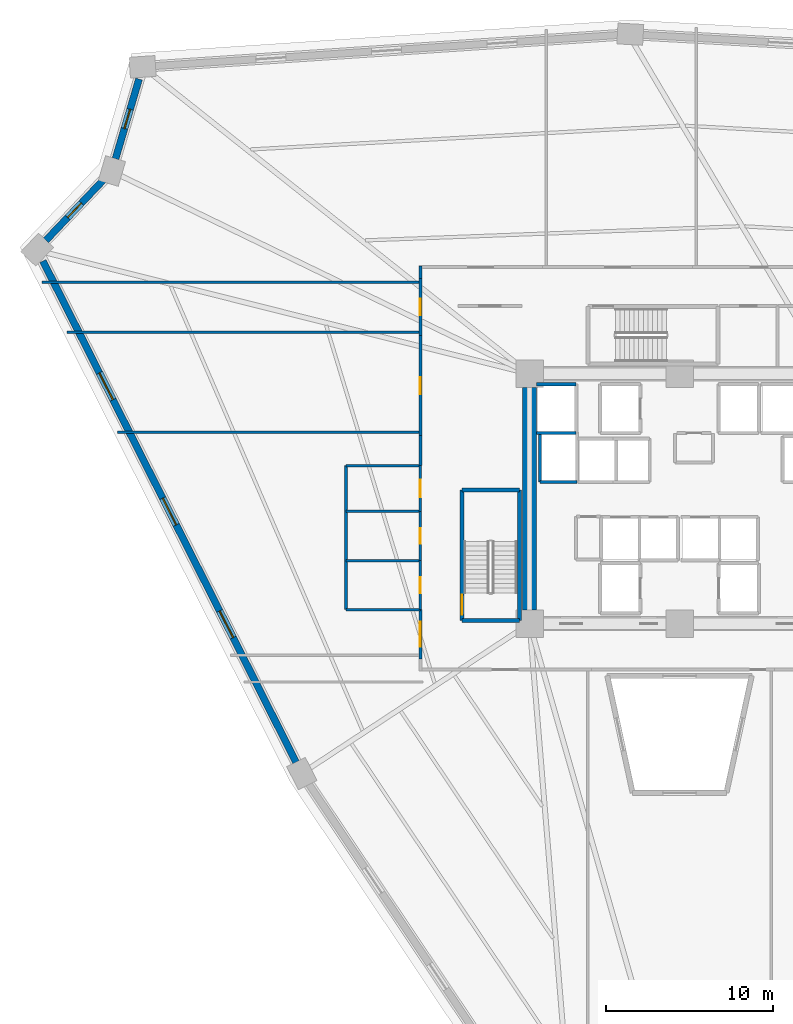
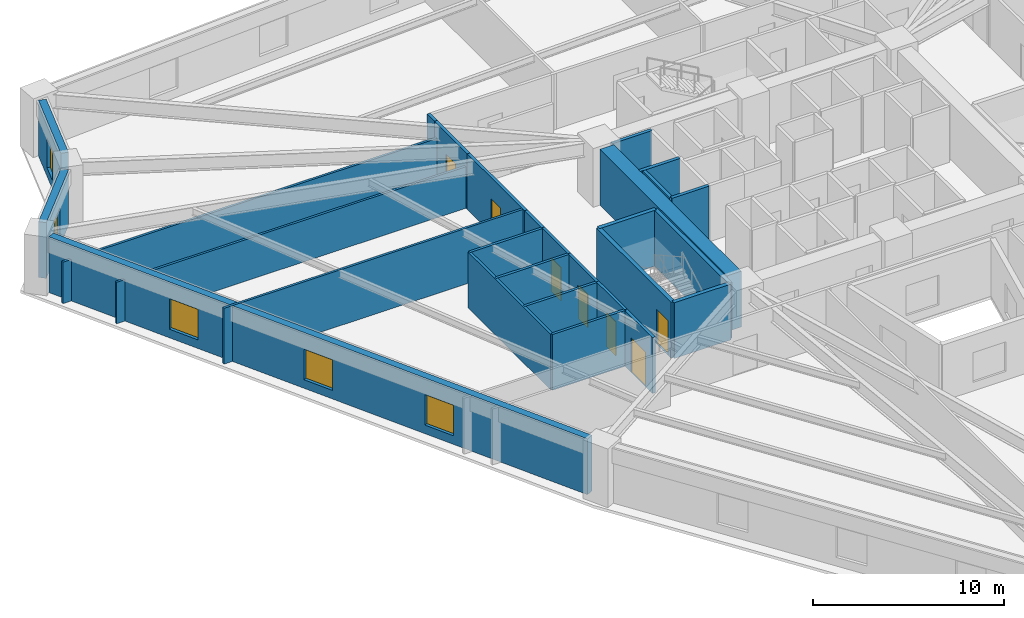
# One storey, part 4 of 9: 28 walls, 7 doors, 5 windows, 12 openings.
"""IFC4 building model written with IfcOpenShell, lengths in metres."""

import ifcopenshell
import ifcopenshell.guid

model = None  # the IFC model being written
_history = None  # IfcOwnerHistory: only IFC2X3 demands one
_inside = {}  # id of a spatial element -> (the spatial element, [elements in it])
_under = {}  # id of a project, library or spatial element -> (it, [spatial elements below it])
_declared = {}  # id of a project -> (the project, [libraries it declares])
_typed = {}  # id of a type object -> (the type object, [elements of that type])
_made_of = {}  # id of a material, layer set ... -> (it, [elements and type objects made of it])


def new_model(schema):
    """Start an empty IFC model of exactly this schema.

    Asked for "IFC4X3", IfcOpenShell would pick the latest addendum, in which some entities
    have other attributes; the version numbers below select the first issue.
    IFC2X3 requires an IfcOwnerHistory on every rooted entity: one is made here for all.
    """
    global model, _history
    if schema == "IFC4X3":
        model = ifcopenshell.file(schema_version=(4, 3, 0, 0))
    else:
        model = ifcopenshell.file(schema=schema)
    _inside.clear()
    _under.clear()
    _declared.clear()
    _typed.clear()
    _made_of.clear()
    _history = None
    if model.schema == "IFC2X3":
        org = make("IfcOrganization", Name="unknown")
        user = make(
            "IfcPersonAndOrganization",
            ThePerson=make("IfcPerson", FamilyName="unknown"),
            TheOrganization=org,
        )
        app = make(
            "IfcApplication",
            ApplicationDeveloper=org,
            Version="unknown",
            ApplicationFullName="unknown",
            ApplicationIdentifier="unknown",
        )
        _history = make(
            "IfcOwnerHistory",
            OwningUser=user,
            OwningApplication=app,
            ChangeAction="ADDED",
            CreationDate=0,
        )
    return model


def make(cls, **values):
    """One entity of the class cls with the attributes given. An attribute that is None is left unset."""
    return model.create_entity(
        cls, **{name: value for name, value in values.items() if value is not None}
    )


def rooted(cls, **values):
    """An entity with a GlobalId (a new one), such as an element, a storey or a relation."""
    return make(cls, GlobalId=ifcopenshell.guid.new(), OwnerHistory=_history, **values)


def si_unit(unit_type, name, prefix=None):
    """IfcSIUnit, for example si_unit("LENGTHUNIT", "METRE", prefix="MILLI")."""
    return make("IfcSIUnit", UnitType=unit_type, Prefix=prefix, Name=name)


def assignment(units):
    """IfcUnitAssignment: the units of a project."""
    return None if units is None else make("IfcUnitAssignment", Units=units)


def point(xyz):
    """IfcCartesianPoint."""
    return None if xyz is None else make("IfcCartesianPoint", Coordinates=xyz)


def direction(xyz):
    """IfcDirection."""
    return None if xyz is None else make("IfcDirection", DirectionRatios=xyz)


def frame(location, z_axis=None, x_axis=None):
    """IfcAxis2Placement3D, a coordinate frame: its origin and axes. An axis left out is left unset."""
    return make(
        "IfcAxis2Placement3D",
        Location=point(location),
        Axis=direction(z_axis),
        RefDirection=direction(x_axis),
    )


def frame_2d(location, x_axis=None):
    """IfcAxis2Placement2D, a coordinate frame in the plane: its origin and x axis."""
    return make(
        "IfcAxis2Placement2D", Location=point(location), RefDirection=direction(x_axis)
    )


def origin():
    """The frame at (0, 0, 0) with its axes left unset."""
    return frame((0.0, 0.0, 0.0))


def place(relative_to, where):
    """IfcLocalPlacement: puts the frame where relative to a parent placement (None: the world)."""
    return make(
        "IfcLocalPlacement", PlacementRelTo=relative_to, RelativePlacement=where
    )


def context(
    kind, dimensions, precision=None, world=None, true_north=None, identifier=None
):
    """IfcGeometricRepresentationContext, for example the 3D "Model" context."""
    return make(
        "IfcGeometricRepresentationContext",
        ContextIdentifier=identifier,
        ContextType=kind,
        CoordinateSpaceDimension=dimensions,
        Precision=precision,
        WorldCoordinateSystem=world,
        TrueNorth=true_north,
    )


def subcontext(parent, identifier, kind, view, scale=None):
    """IfcGeometricRepresentationSubContext, for example "Body" below "Model"."""
    return make(
        "IfcGeometricRepresentationSubContext",
        ContextIdentifier=identifier,
        ContextType=kind,
        ParentContext=parent,
        TargetScale=scale,
        TargetView=view,
    )


def project(units=None, contexts=None):
    """IfcProject with its units and contexts."""
    return rooted(
        "IfcProject",
        Name="project",
        RepresentationContexts=contexts,
        UnitsInContext=assignment(units),
    )


def spatial(cls, under=None, at=None, **own):
    """A site, building, storey or space (cls), placed at a placement, below another one or the project."""
    s = rooted(cls, ObjectPlacement=at, **own)
    if under is not None:
        _under.setdefault(under.id(), (under, []))[1].append(s)
    return s


def profile(cls, at=None, kind="AREA", **sizes):
    """A parametric profile (cls). Its sizes go by their IFC names, for example OverallWidth=200.0."""
    return make(cls, ProfileType=kind, Position=at, **sizes)


def rectangle(**sizes):
    """IfcRectangleProfileDef."""
    return profile("IfcRectangleProfileDef", **sizes)


def extrude(swept, where, along, depth):
    """IfcExtrudedAreaSolid: the profile swept, set in the frame where, extruded along a direction by depth."""
    return make(
        "IfcExtrudedAreaSolid",
        SweptArea=swept,
        Position=where,
        ExtrudedDirection=direction(along),
        Depth=depth,
    )


def shape(context_of_items, identifier, shape_type, items):
    """IfcShapeRepresentation: the items that make up one representation, for example the "Body"."""
    return make(
        "IfcShapeRepresentation",
        ContextOfItems=context_of_items,
        RepresentationIdentifier=identifier,
        RepresentationType=shape_type,
        Items=items,
    )


def source(mapping_origin, context_of_items, identifier, shape_type, items):
    """IfcRepresentationMap: a shape defined once, which mapped items show again and again."""
    return make(
        "IfcRepresentationMap",
        MappingOrigin=mapping_origin,
        MappedRepresentation=shape(context_of_items, identifier, shape_type, items),
    )


def transform(
    local_origin,
    x_axis=None,
    y_axis=None,
    z_axis=None,
    scale=None,
    scale2=None,
    scale3=None,
    uniform=True,
):
    """IfcCartesianTransformationOperator3D, or its non-uniform kind. x_axis, y_axis, z_axis: its Axis1, 2, 3."""
    if uniform:
        return make(
            "IfcCartesianTransformationOperator3D",
            Axis1=direction(x_axis),
            Axis2=direction(y_axis),
            LocalOrigin=point(local_origin),
            Scale=scale,
            Axis3=direction(z_axis),
        )
    return make(
        "IfcCartesianTransformationOperator3DnonUniform",
        Axis1=direction(x_axis),
        Axis2=direction(y_axis),
        LocalOrigin=point(local_origin),
        Scale=scale,
        Axis3=direction(z_axis),
        Scale2=scale2,
        Scale3=scale3,
    )


def mapped(mapping_source, mapping_target):
    """IfcMappedItem: shows the shape of a source again, moved by a transform."""
    return make(
        "IfcMappedItem", MappingSource=mapping_source, MappingTarget=mapping_target
    )


def material(Name=None, Category=None):
    """IfcMaterial."""
    return make("IfcMaterial", Name=Name, Category=Category)


def layer(
    of_material, thickness, ventilated=None, Name=None, Category=None, Priority=None
):
    """IfcMaterialLayer: one layer of a wall or slab, of a material (None: an air gap)."""
    return make(
        "IfcMaterialLayer",
        Material=of_material,
        LayerThickness=thickness,
        IsVentilated=ventilated,
        Name=Name,
        Category=Category,
        Priority=Priority,
    )


def layer_set(layers, Name=None):
    """IfcMaterialLayerSet."""
    return make("IfcMaterialLayerSet", MaterialLayers=layers, LayerSetName=Name)


def made_of(thing, what):
    """Note that an element or type object is made of a material, layer set ...; save() writes the relation."""
    if what is not None:
        _made_of.setdefault(what.id(), (what, []))[1].append(thing)
    return thing


def type_object(cls, material=None, **own):
    """A type object (cls), such as IfcWallType, which elements share."""
    return made_of(rooted(cls, **own), material)


def element(
    cls,
    number,
    at=None,
    inside=None,
    cuts=None,
    type_object=None,
    material=None,
    context=None,
    identifier="Body",
    shape_type=None,
    held_by="IfcProductDefinitionShape",
    body=None,
    shapes=None,
    **own,
):
    """One element of the class cls, such as IfcWall. Its Tag is "e" and its number.

    at: its placement. inside: the storey or other place that contains it. cuts: it is an
    opening in that element (IfcRelVoidsElement). A single representation is given by context,
    identifier, shape_type and body (its items); several are given by shapes. held_by: the class
    of the entity that holds the representations. save() writes the other relations.
    """
    e = rooted(cls, Tag="e%d" % number, ObjectPlacement=at, **own)
    if body is not None:
        shapes = [shape(context, identifier, shape_type, body)]
    if shapes is not None:
        e.Representation = make(held_by, Representations=shapes)
    if inside is not None:
        _inside.setdefault(inside.id(), (inside, []))[1].append(e)
    if cuts is not None:
        rooted(
            "IfcRelVoidsElement", RelatingBuildingElement=cuts, RelatedOpeningElement=e
        )
    if type_object is not None:
        _typed.setdefault(type_object.id(), (type_object, []))[1].append(e)
    return made_of(e, material)


def fill(opening, filler):
    """IfcRelFillsElement: the door or window that sits in an opening."""
    return rooted(
        "IfcRelFillsElement",
        RelatingOpeningElement=opening,
        RelatedBuildingElement=filler,
    )


def aggregate(whole, parts):
    """IfcRelAggregates: a whole, such as a stair, and the parts it consists of."""
    return rooted("IfcRelAggregates", RelatingObject=whole, RelatedObjects=parts)


def save(model, path):
    """Write the relations noted so far, then the file.

    IfcRelAggregates (storeys below a building ...), IfcRelContainedInSpatialStructure (elements
    in a storey), IfcRelDefinesByType, IfcRelAssociatesMaterial and IfcRelDeclares: one each for
    every whole, place, type object, material and project.
    """
    for whole, parts in _under.values():
        aggregate(whole, parts)
    for where, things in _inside.values():
        rooted(
            "IfcRelContainedInSpatialStructure",
            RelatedElements=things,
            RelatingStructure=where,
        )
    for kind, things in _typed.values():
        rooted("IfcRelDefinesByType", RelatedObjects=things, RelatingType=kind)
    for what, things in _made_of.values():
        rooted("IfcRelAssociatesMaterial", RelatedObjects=things, RelatingMaterial=what)
    for by, libraries in _declared.values():
        rooted("IfcRelDeclares", RelatingContext=by, RelatedDefinitions=libraries)
    model.write(path)


model = new_model("IFC4")

# Units and contexts
model_context = context("Model", 3, precision=1e-05, world=origin(), true_north=direction((0.0, 1.0)))
body_context = subcontext(model_context, "Body", "Model", "MODEL_VIEW")
ifc_project = project(units=[si_unit("LENGTHUNIT", "METRE"), si_unit("AREAUNIT", "SQUARE_METRE"), si_unit("VOLUMEUNIT", "CUBIC_METRE"), si_unit("PLANEANGLEUNIT", "RADIAN"), si_unit("MASSUNIT", "GRAM", prefix="KILO")], contexts=[model_context])

# Site, building, storey
site_placement = place(None, origin())
site = spatial("IfcSite", under=ifc_project, at=site_placement, CompositionType="ELEMENT")
building_placement = place(site_placement, origin())
building = spatial("IfcBuilding", under=site, at=building_placement, Name="Liaohun Quay Tower", CompositionType="ELEMENT")
storey_placement = place(building_placement, frame((0.0, 0.0, 59.25)))
storey = spatial("IfcBuildingStorey", under=building, at=storey_placement, Name="L15", CompositionType="ELEMENT", Elevation=59.25)

# Wall
ifc_material_1 = material(Name="Concrete C60", Category="concrete")
ifc_layer_1 = layer(ifc_material_1, 0.85009765625, Name="Concrete C60", Category="concrete")
ifc_layer_set_1 = layer_set([ifc_layer_1], Name="Concrete C60")
wall_type_1 = type_object("IfcWallType", Name="WAL-COR-Z1", PredefinedType="SHEAR", material=ifc_layer_set_1)
wall_1_placement = place(storey_placement, frame((51.0, 47.324951171875, 0.0), z_axis=(0.0, 0.0, 1.0), x_axis=(0.0, 1.0, 0.0)))
element("IfcWall", 1, at=wall_1_placement, inside=storey, type_object=wall_type_1, Name="L15 Central Core Shear Wall W", PredefinedType="SHEAR", context=body_context, shape_type="SweptSolid", body=[
    extrude(rectangle(XDim=13.35009765625, YDim=0.85009765625, at=frame_2d((6.675048828125, 0.0))), origin(), (0.0, 0.0, 1.0), 3.570068359375),
])

# Wall, opening, window
ifc_material_2 = material(Name="Precast concrete C50 insulated sandwich", Category="concrete")
ifc_layer_2 = layer(ifc_material_2, 0.419921875, Name="Precast concrete C50 insulated sandwich", Category="concrete")
ifc_layer_set_2 = layer_set([ifc_layer_2], Name="Precast concrete C50 insulated sandwich")
wall_type_2 = type_object("IfcWallType", Name="WAL-EXT-Z12", PredefinedType="SOLIDWALL", material=ifc_layer_set_2)
wall_2_placement = place(storey_placement, frame((27.551025390625, 79.195068359375, 0.0), z_axis=(0.0, 0.0, 1.0), x_axis=(-0.282928947313, -0.959140871182, 0.0)))
wall_2 = element("IfcWall", 2, at=wall_2_placement, inside=storey, type_object=wall_type_2, Name="L15 Brutalist Precast Pier Wall 08", PredefinedType="SOLIDWALL", context=body_context, shape_type="SweptSolid", body=[
    extrude(rectangle(XDim=4.990966796875, YDim=0.419921875, at=frame_2d((2.49560546875, 0.0))), origin(), (0.0, 0.0, 1.0), 3.570068359375),
])
shared_shape_1 = source(origin(), body_context, "Body", "SweptSolid", [
    extrude(rectangle(XDim=1.199951171875, YDim=1.89990234375, at=frame_2d((0.60009765625, 0.949951171875))), frame((0.0, 0.219970703125, 0.0), z_axis=(0.0, -1.0, 0.0), x_axis=(1.0, 0.0, 0.0)), (0.0, 0.0, 1.0), 0.43994140625),
])
opening_1_placement = place(wall_2_placement, frame((1.89501953125, 0.0, 0.550048828125)))
opening_1 = element("IfcOpeningElement", 3, at=opening_1_placement, cuts=wall_2, Name="Opening W05", PredefinedType="OPENING", context=body_context, shape_type="MappedRepresentation", body=[
    mapped(shared_shape_1, transform((0.0, 0.0, 0.0), x_axis=(1.0, 0.0, 0.0), y_axis=(0.0, 1.0, 0.0), z_axis=(0.0, 0.0, 1.0), scale=1.0)),
])
ifc_material_3 = material(Name="Triple Low-E corner notch glazing", Category="glass")
window_type_1 = type_object("IfcWindowType", Name="WIN-NOTCH", PartitioningType="SINGLE_PANEL", PredefinedType="WINDOW", material=ifc_material_3)
shared_shape_2 = source(origin(), body_context, "Body", "SweptSolid", [
    extrude(rectangle(XDim=1.199951171875, YDim=1.89990234375, at=frame_2d((0.60009765625, 0.949951171875))), frame((0.0, 0.030029296875, 0.0), z_axis=(0.0, -1.0, 0.0), x_axis=(1.0, 0.0, 0.0)), (0.0, 0.0, 1.0), 0.06005859375),
])
window_1_placement = place(opening_1_placement, origin())
window_1 = element("IfcWindow", 4, at=window_1_placement, inside=storey, type_object=window_type_1, Name="L15 Corner Notch Window W05-08", OverallHeight=1.89990234375, OverallWidth=1.199951171875, PartitioningType="SINGLE_PANEL", PredefinedType="WINDOW", context=body_context, shape_type="MappedRepresentation", body=[
    mapped(shared_shape_2, transform((0.0, 0.0, 0.0), x_axis=(1.0, 0.0, 0.0), y_axis=(0.0, 1.0, 0.0), z_axis=(0.0, 0.0, 1.0), scale=1.0)),
])
fill(opening_1, window_1)

wall_3_placement = place(storey_placement, frame((25.39599609375, 73.1201171875, 0.0), z_axis=(0.0, 0.0, 1.0), x_axis=(-0.689329780071, -0.724447689145, 0.0)))
wall_3 = element("IfcWall", 5, at=wall_3_placement, inside=storey, type_object=wall_type_2, Name="L15 Brutalist Precast Pier Wall 09", PredefinedType="SOLIDWALL", context=body_context, shape_type="SweptSolid", body=[
    extrude(rectangle(XDim=4.984619140625, YDim=0.419921875, at=frame_2d((2.4921875, 0.0))), origin(), (0.0, 0.0, 1.0), 3.570068359375),
])
opening_2_placement = place(wall_3_placement, frame((1.89208984375, 0.0, 0.550048828125)))
opening_2 = element("IfcOpeningElement", 6, at=opening_2_placement, cuts=wall_3, Name="Opening W05", PredefinedType="OPENING", context=body_context, shape_type="MappedRepresentation", body=[
    mapped(shared_shape_1, transform((0.0, 0.0, 0.0), x_axis=(1.0, 0.0, 0.0), y_axis=(0.0, 1.0, 0.0), z_axis=(0.0, 0.0, 1.0), scale=1.0)),
])
window_2_placement = place(opening_2_placement, origin())
window_2 = element("IfcWindow", 7, at=window_2_placement, inside=storey, type_object=window_type_1, Name="L15 Corner Notch Window W05-09", OverallHeight=1.89990234375, OverallWidth=1.199951171875, PartitioningType="SINGLE_PANEL", PredefinedType="WINDOW", context=body_context, shape_type="MappedRepresentation", body=[
    mapped(shared_shape_2, transform((0.0, 0.0, 0.0), x_axis=(1.0, 0.0, 0.0), y_axis=(0.0, 1.0, 0.0), z_axis=(0.0, 0.0, 1.0), scale=1.0)),
])
fill(opening_2, window_2)

# Wall, openings, windows
wall_4_placement = place(storey_placement, frame((21.778076171875, 68.27197265625, 0.0), z_axis=(0.0, 0.0, 1.0), x_axis=(0.45088567069, -0.892581711647, 0.0)))
wall_4 = element("IfcWall", 8, at=wall_4_placement, inside=storey, type_object=wall_type_2, Name="L15 Brutalist Precast Pier Wall 10", PredefinedType="SOLIDWALL", context=body_context, shape_type="SweptSolid", body=[
    extrude(rectangle(XDim=33.71337890625, YDim=0.419921875, at=frame_2d((16.856689453125, 0.0))), origin(), (0.0, 0.0, 1.0), 3.570068359375),
])
shared_shape_3 = source(origin(), body_context, "Body", "SweptSolid", [
    extrude(rectangle(XDim=1.800048828125, YDim=1.949951171875, at=frame_2d((0.89990234375, 0.97509765625))), frame((0.0, 0.219970703125, 0.0), z_axis=(0.0, -1.0, 0.0), x_axis=(1.0, 0.0, 0.0)), (0.0, 0.0, 1.0), 0.43994140625),
])
opening_3_placement = place(wall_4_placement, frame((7.528076171875, 0.0, 0.550048828125)))
opening_3 = element("IfcOpeningElement", 9, at=opening_3_placement, cuts=wall_4, Name="Opening W01", PredefinedType="OPENING", context=body_context, shape_type="MappedRepresentation", body=[
    mapped(shared_shape_3, transform((0.0, 0.0, 0.0), x_axis=(1.0, 0.0, 0.0), y_axis=(0.0, 1.0, 0.0), z_axis=(0.0, 0.0, 1.0), scale=1.0)),
])
opening_4_placement = place(wall_4_placement, frame((15.95703125, 0.0, 0.550048828125)))
opening_4 = element("IfcOpeningElement", 10, at=opening_4_placement, cuts=wall_4, Name="Opening W01", PredefinedType="OPENING", context=body_context, shape_type="MappedRepresentation", body=[
    mapped(shared_shape_3, transform((0.0, 0.0, 0.0), x_axis=(1.0, 0.0, 0.0), y_axis=(0.0, 1.0, 0.0), z_axis=(0.0, 0.0, 1.0), scale=1.0)),
])
opening_5_placement = place(wall_4_placement, frame((23.534912109375, 0.0, 0.550048828125)))
opening_5 = element("IfcOpeningElement", 11, at=opening_5_placement, cuts=wall_4, Name="Opening W01", PredefinedType="OPENING", context=body_context, shape_type="MappedRepresentation", body=[
    mapped(shared_shape_3, transform((0.0, 0.0, 0.0), x_axis=(1.0, 0.0, 0.0), y_axis=(0.0, 1.0, 0.0), z_axis=(0.0, 0.0, 1.0), scale=1.0)),
])
ifc_material_4 = material(Name="Triple Low-E argon glazing in thermally broken aluminium", Category="aluminium")
window_type_2 = type_object("IfcWindowType", Name="WIN-PUN-Z1", PartitioningType="DOUBLE_PANEL_VERTICAL", PredefinedType="WINDOW", material=ifc_material_4)
shared_shape_4 = source(origin(), body_context, "Body", "SweptSolid", [
    extrude(rectangle(XDim=1.800048828125, YDim=1.949951171875, at=frame_2d((0.89990234375, 0.97509765625))), frame((0.0, 0.030029296875, 0.0), z_axis=(0.0, -1.0, 0.0), x_axis=(1.0, 0.0, 0.0)), (0.0, 0.0, 1.0), 0.06005859375),
])
window_3_placement = place(opening_3_placement, origin())
window_3 = element("IfcWindow", 12, at=window_3_placement, inside=storey, type_object=window_type_2, Name="L15 Recessed Cold-Climate Punched Window 10-1", OverallHeight=1.949951171875, OverallWidth=1.800048828125, PartitioningType="DOUBLE_PANEL_VERTICAL", PredefinedType="WINDOW", context=body_context, shape_type="MappedRepresentation", body=[
    mapped(shared_shape_4, transform((0.0, 0.0, 0.0), x_axis=(1.0, 0.0, 0.0), y_axis=(0.0, 1.0, 0.0), z_axis=(0.0, 0.0, 1.0), scale=1.0)),
])
fill(opening_3, window_3)
window_4_placement = place(opening_4_placement, origin())
window_4 = element("IfcWindow", 13, at=window_4_placement, inside=storey, type_object=window_type_2, Name="L15 Recessed Cold-Climate Punched Window 10-2", OverallHeight=1.949951171875, OverallWidth=1.800048828125, PartitioningType="DOUBLE_PANEL_VERTICAL", PredefinedType="WINDOW", context=body_context, shape_type="MappedRepresentation", body=[
    mapped(shared_shape_4, transform((0.0, 0.0, 0.0), x_axis=(1.0, 0.0, 0.0), y_axis=(0.0, 1.0, 0.0), z_axis=(0.0, 0.0, 1.0), scale=1.0)),
])
fill(opening_4, window_4)
window_5_placement = place(opening_5_placement, origin())
window_5 = element("IfcWindow", 14, at=window_5_placement, inside=storey, type_object=window_type_2, Name="L15 Recessed Cold-Climate Punched Window 10-3", OverallHeight=1.949951171875, OverallWidth=1.800048828125, PartitioningType="DOUBLE_PANEL_VERTICAL", PredefinedType="WINDOW", context=body_context, shape_type="MappedRepresentation", body=[
    mapped(shared_shape_4, transform((0.0, 0.0, 0.0), x_axis=(1.0, 0.0, 0.0), y_axis=(0.0, 1.0, 0.0), z_axis=(0.0, 0.0, 1.0), scale=1.0)),
])
fill(opening_5, window_5)

# Wall, opening, door
ifc_material_5 = material(Name="Autoclaved aerated concrete blockwork", Category="masonry")
ifc_layer_3 = layer(ifc_material_5, 0.179931640625, Name="Autoclaved aerated concrete blockwork", Category="masonry")
ifc_layer_set_3 = layer_set([ifc_layer_3], Name="Autoclaved aerated concrete blockwork")
wall_type_3 = type_object("IfcWallType", Name="WAL-PRT-COR", PredefinedType="PARTITIONING", material=ifc_layer_set_3)
wall_5_placement = place(storey_placement, frame((44.43994140625, 63.784912109375, 0.0), z_axis=(0.0, 0.0, 1.0), x_axis=(0.0, 1.0, 0.0)))
wall_5 = element("IfcWall", 15, at=wall_5_placement, inside=storey, type_object=wall_type_3, Name="L15 Interior Partition Wall 016", PredefinedType="PARTITIONING", context=body_context, shape_type="SweptSolid", body=[
    extrude(rectangle(XDim=3.43017578125, YDim=0.179931640625, at=frame_2d((1.715087890625, 0.0))), origin(), (0.0, 0.0, 1.0), 3.570068359375),
])
shared_shape_5 = source(origin(), body_context, "Body", "SweptSolid", [
    extrude(rectangle(XDim=1.0, YDim=2.199951171875, at=frame_2d((0.5, 1.10009765625))), frame((0.0, 0.099853515625, 0.0), z_axis=(0.0, -1.0, 0.0), x_axis=(1.0, 0.0, 0.0)), (0.0, 0.0, 1.0), 0.199951171875),
])
opening_6_placement = place(wall_5_placement, frame((1.215087890625, 0.0, 0.0)))
opening_6 = element("IfcOpeningElement", 16, at=opening_6_placement, cuts=wall_5, Name="Opening OD1", PredefinedType="OPENING", context=body_context, shape_type="MappedRepresentation", body=[
    mapped(shared_shape_5, transform((0.0, 0.0, 0.0), x_axis=(1.0, 0.0, 0.0), y_axis=(0.0, 1.0, 0.0), z_axis=(0.0, 0.0, 1.0), scale=1.0)),
])
ifc_material_6 = material(Name="Solid-core oak veneer timber leaf in steel frame", Category="steel")
door_type_1 = type_object("IfcDoorType", Name="DOR-OFF-1000", OperationType="NOTDEFINED", PredefinedType="DOOR", material=ifc_material_6)
shared_shape_6 = source(origin(), body_context, "Body", "SweptSolid", [
    extrude(rectangle(XDim=1.0, YDim=2.199951171875, at=frame_2d((0.5, 1.10009765625))), frame((0.0, 0.02490234375, 0.0), z_axis=(0.0, -1.0, 0.0), x_axis=(1.0, 0.0, 0.0)), (0.0, 0.0, 1.0), 0.050048828125),
])
door_1_placement = place(opening_6_placement, origin())
door_1 = element("IfcDoor", 17, at=door_1_placement, inside=storey, type_object=door_type_1, Name="L15 Architectural Design Studio 07 Door", OperationType="SINGLE_SWING_LEFT", OverallHeight=2.199951171875, OverallWidth=1.0, PredefinedType="DOOR", context=body_context, shape_type="MappedRepresentation", body=[
    mapped(shared_shape_6, transform((0.0, 0.0, 0.0), x_axis=(1.0, 0.0, 0.0), y_axis=(0.0, 1.0, 0.0), z_axis=(0.0, 0.0, 1.0), scale=1.0)),
])
fill(opening_6, door_1)

wall_6_placement = place(storey_placement, frame((44.43994140625, 57.784912109375, 0.0), z_axis=(0.0, 0.0, 1.0), x_axis=(0.0, 1.0, 0.0)))
wall_6 = element("IfcWall", 18, at=wall_6_placement, inside=storey, type_object=wall_type_3, Name="L15 Interior Partition Wall 017", PredefinedType="PARTITIONING", context=body_context, shape_type="SweptSolid", body=[
    extrude(rectangle(XDim=6.0, YDim=0.179931640625, at=frame_2d((3.0, 0.0))), origin(), (0.0, 0.0, 1.0), 3.570068359375),
])
opening_7_placement = place(wall_6_placement, frame((2.5, 0.0, 0.0)))
opening_7 = element("IfcOpeningElement", 19, at=opening_7_placement, cuts=wall_6, Name="Opening OD1", PredefinedType="OPENING", context=body_context, shape_type="MappedRepresentation", body=[
    mapped(shared_shape_5, transform((0.0, 0.0, 0.0), x_axis=(1.0, 0.0, 0.0), y_axis=(0.0, 1.0, 0.0), z_axis=(0.0, 0.0, 1.0), scale=1.0)),
])
door_2_placement = place(opening_7_placement, origin())
door_2 = element("IfcDoor", 20, at=door_2_placement, inside=storey, type_object=door_type_1, Name="L15 Digital Prototyping Laboratory 08 Door", OperationType="SINGLE_SWING_RIGHT", OverallHeight=2.199951171875, OverallWidth=1.0, PredefinedType="DOOR", context=body_context, shape_type="MappedRepresentation", body=[
    mapped(shared_shape_6, transform((0.0, 0.0, 0.0), x_axis=(1.0, 0.0, 0.0), y_axis=(0.0, 1.0, 0.0), z_axis=(0.0, 0.0, 1.0), scale=1.0)),
])
fill(opening_7, door_2)

wall_7_placement = place(storey_placement, frame((44.43994140625, 44.385009765625, 0.0), z_axis=(0.0, 0.0, 1.0), x_axis=(0.0, 1.0, 0.0)))
wall_7 = element("IfcWall", 21, at=wall_7_placement, inside=storey, type_object=wall_type_3, Name="L15 Interior Partition Wall 018", PredefinedType="PARTITIONING", context=body_context, shape_type="SweptSolid", body=[
    extrude(rectangle(XDim=2.955078125, YDim=0.179931640625, at=frame_2d((1.4775390625, 0.0))), origin(), (0.0, 0.0, 1.0), 3.570068359375),
])
shared_shape_7 = source(origin(), body_context, "Body", "SweptSolid", [
    extrude(rectangle(XDim=1.5, YDim=2.199951171875, at=frame_2d((0.75, 1.10009765625))), frame((0.0, 0.099853515625, 0.0), z_axis=(0.0, -1.0, 0.0), x_axis=(1.0, 0.0, 0.0)), (0.0, 0.0, 1.0), 0.199951171875),
])
opening_8_placement = place(wall_7_placement, frame((0.72802734375, 0.0, 0.0)))
opening_8 = element("IfcOpeningElement", 22, at=opening_8_placement, cuts=wall_7, Name="Opening OD2", PredefinedType="OPENING", context=body_context, shape_type="MappedRepresentation", body=[
    mapped(shared_shape_7, transform((0.0, 0.0, 0.0), x_axis=(1.0, 0.0, 0.0), y_axis=(0.0, 1.0, 0.0), z_axis=(0.0, 0.0, 1.0), scale=1.0)),
])
ifc_material_7 = material(Name="Acoustic oak veneer double door")
door_type_2 = type_object("IfcDoorType", Name="DOR-OFF-1500", OperationType="DOUBLE_DOOR_SINGLE_SWING", PredefinedType="DOOR", material=ifc_material_7)
shared_shape_8 = source(origin(), body_context, "Body", "SweptSolid", [
    extrude(rectangle(XDim=1.5, YDim=2.199951171875, at=frame_2d((0.75, 1.10009765625))), frame((0.0, 0.02490234375, 0.0), z_axis=(0.0, -1.0, 0.0), x_axis=(1.0, 0.0, 0.0)), (0.0, 0.0, 1.0), 0.050048828125),
])
door_3_placement = place(opening_8_placement, origin())
door_3 = element("IfcDoor", 23, at=door_3_placement, inside=storey, type_object=door_type_2, Name="L15 Records Archive Store 09 Door", OperationType="DOUBLE_DOOR_SINGLE_SWING", OverallHeight=2.199951171875, OverallWidth=1.5, PredefinedType="DOOR", context=body_context, shape_type="MappedRepresentation", body=[
    mapped(shared_shape_8, transform((0.0, 0.0, 0.0), x_axis=(1.0, 0.0, 0.0), y_axis=(0.0, 1.0, 0.0), z_axis=(0.0, 0.0, 1.0), scale=1.0)),
])
fill(opening_8, door_3)

# Walls
wall_8_placement = place(storey_placement, frame((44.43994140625, 67.215087890625, 0.0), z_axis=(0.0, 0.0, 1.0), x_axis=(0.0, 1.0, 0.0)))
element("IfcWall", 24, at=wall_8_placement, inside=storey, type_object=wall_type_3, Name="L15 Interior Partition Wall 037", PredefinedType="PARTITIONING", context=body_context, shape_type="SweptSolid", body=[
    extrude(rectangle(XDim=0.764892578125, YDim=0.179931640625, at=frame_2d((0.38232421875, 0.0))), origin(), (0.0, 0.0, 1.0), 3.570068359375),
])
wall_9_placement = place(storey_placement, frame((44.43994140625, 55.97998046875, 0.0), z_axis=(0.0, 0.0, 1.0), x_axis=(0.0, 1.0, 0.0)))
element("IfcWall", 25, at=wall_9_placement, inside=storey, type_object=wall_type_3, Name="L15 Interior Partition Wall 038", PredefinedType="PARTITIONING", context=body_context, shape_type="SweptSolid", body=[
    extrude(rectangle(XDim=1.804931640625, YDim=0.179931640625, at=frame_2d((0.90234375, 0.0))), origin(), (0.0, 0.0, 1.0), 3.570068359375),
])
ifc_material_8 = material(Name="Gypsum board on twin steel studs", Category="steel")
ifc_layer_4 = layer(ifc_material_8, 0.139892578125, Name="Gypsum board on twin steel studs", Category="steel")
ifc_layer_set_4 = layer_set([ifc_layer_4], Name="Gypsum board on twin steel studs")
wall_type_4 = type_object("IfcWallType", Name="WAL-PRT-OFF", PredefinedType="PARTITIONING", material=ifc_layer_set_4)
wall_10_placement = place(storey_placement, frame((44.5400390625, 58.0, 0.0), z_axis=(0.0, 0.0, 1.0), x_axis=(-1.0, 0.0, 0.0)))
element("IfcWall", 26, at=wall_10_placement, inside=storey, type_object=wall_type_4, Name="L15 Interior Partition Wall 043", PredefinedType="PARTITIONING", context=body_context, shape_type="SweptSolid", body=[
    extrude(rectangle(XDim=18.279052734375, YDim=0.139892578125, at=frame_2d((9.1396484375, 0.0))), origin(), (0.0, 0.0, 1.0), 3.570068359375),
])
wall_11_placement = place(storey_placement, frame((44.5400390625, 64.0, 0.0), z_axis=(0.0, 0.0, 1.0), x_axis=(-1.0, 0.0, 0.0)))
element("IfcWall", 27, at=wall_11_placement, inside=storey, type_object=wall_type_4, Name="L15 Interior Partition Wall 044", PredefinedType="PARTITIONING", context=body_context, shape_type="SweptSolid", body=[
    extrude(rectangle(XDim=21.31005859375, YDim=0.139892578125, at=frame_2d((10.655029296875, 0.0))), origin(), (0.0, 0.0, 1.0), 2.655029296875),
])
wall_12_placement = place(storey_placement, frame((44.5400390625, 67.0, 0.0), z_axis=(0.0, 0.0, 1.0), x_axis=(-1.0, 0.0, 0.0)))
element("IfcWall", 28, at=wall_12_placement, inside=storey, type_object=wall_type_4, Name="L15 Interior Partition Wall 045", PredefinedType="PARTITIONING", context=body_context, shape_type="SweptSolid", body=[
    extrude(rectangle(XDim=22.824951171875, YDim=0.139892578125, at=frame_2d((11.41259765625, 0.0))), origin(), (0.0, 0.0, 1.0), 2.655029296875),
])

# Wall, opening, door
ifc_material_9 = material(Name="Moisture-resistant masonry blockwork", Category="masonry")
ifc_layer_5 = layer(ifc_material_9, 0.159912109375, Name="Moisture-resistant masonry blockwork", Category="masonry")
ifc_layer_set_5 = layer_set([ifc_layer_5], Name="Moisture-resistant masonry blockwork")
wall_type_5 = type_object("IfcWallType", Name="WAL-PRT-WET", PredefinedType="PARTITIONING", material=ifc_layer_set_5)
wall_13_placement = place(storey_placement, frame((44.43994140625, 47.340087890625, 0.0), z_axis=(0.0, 0.0, 1.0), x_axis=(0.0, 1.0, 0.0)))
wall_13 = element("IfcWall", 29, at=wall_13_placement, inside=storey, type_object=wall_type_5, Name="L15 Interior Partition Wall 003", PredefinedType="PARTITIONING", context=body_context, shape_type="SweptSolid", body=[
    extrude(rectangle(XDim=2.93994140625, YDim=0.159912109375, at=frame_2d((1.469970703125, 0.0))), origin(), (0.0, 0.0, 1.0), 3.570068359375),
])
shared_shape_9 = source(origin(), body_context, "Body", "SweptSolid", [
    extrude(rectangle(XDim=0.949951171875, YDim=2.14990234375, at=frame_2d((0.47509765625, 1.074951171875))), frame((0.0, 0.08984375, 0.0), z_axis=(0.0, -1.0, 0.0), x_axis=(1.0, 0.0, 0.0)), (0.0, 0.0, 1.0), 0.179931640625),
])
opening_9_placement = place(wall_13_placement, frame((0.9951171875, 0.0, 0.0)))
opening_9 = element("IfcOpeningElement", 30, at=opening_9_placement, cuts=wall_13, Name="Opening WD1", PredefinedType="OPENING", context=body_context, shape_type="MappedRepresentation", body=[
    mapped(shared_shape_9, transform((0.0, 0.0, 0.0), x_axis=(1.0, 0.0, 0.0), y_axis=(0.0, 1.0, 0.0), z_axis=(0.0, 0.0, 1.0), scale=1.0)),
])
ifc_material_10 = material(Name="Moisture-resistant laminate timber leaf", Category="wood")
door_type_3 = type_object("IfcDoorType", Name="DOR-WC-950", OperationType="NOTDEFINED", PredefinedType="DOOR", material=ifc_material_10)
shared_shape_10 = source(origin(), body_context, "Body", "SweptSolid", [
    extrude(rectangle(XDim=0.949951171875, YDim=2.14990234375, at=frame_2d((0.47509765625, 1.074951171875))), frame((0.0, 0.02490234375, 0.0), z_axis=(0.0, -1.0, 0.0), x_axis=(1.0, 0.0, 0.0)), (0.0, 0.0, 1.0), 0.050048828125),
])
door_4_placement = place(opening_9_placement, origin())
door_4 = element("IfcDoor", 31, at=door_4_placement, inside=storey, type_object=door_type_3, Name="L15 Male Restroom WC Door", OperationType="SINGLE_SWING_RIGHT", OverallHeight=2.14990234375, OverallWidth=0.949951171875, PredefinedType="DOOR", context=body_context, shape_type="MappedRepresentation", body=[
    mapped(shared_shape_10, transform((0.0, 0.0, 0.0), x_axis=(1.0, 0.0, 0.0), y_axis=(0.0, 1.0, 0.0), z_axis=(0.0, 0.0, 1.0), scale=1.0)),
])
fill(opening_9, door_4)

wall_14_placement = place(storey_placement, frame((44.43994140625, 50.280029296875, 0.0), z_axis=(0.0, 0.0, 1.0), x_axis=(0.0, 1.0, 0.0)))
wall_14 = element("IfcWall", 32, at=wall_14_placement, inside=storey, type_object=wall_type_5, Name="L15 Interior Partition Wall 004", PredefinedType="PARTITIONING", context=body_context, shape_type="SweptSolid", body=[
    extrude(rectangle(XDim=2.9599609375, YDim=0.159912109375, at=frame_2d((1.47998046875, 0.0))), origin(), (0.0, 0.0, 1.0), 3.570068359375),
])
opening_10_placement = place(wall_14_placement, frame((1.0048828125, 0.0, 0.0)))
opening_10 = element("IfcOpeningElement", 33, at=opening_10_placement, cuts=wall_14, Name="Opening WD1", PredefinedType="OPENING", context=body_context, shape_type="MappedRepresentation", body=[
    mapped(shared_shape_9, transform((0.0, 0.0, 0.0), x_axis=(1.0, 0.0, 0.0), y_axis=(0.0, 1.0, 0.0), z_axis=(0.0, 0.0, 1.0), scale=1.0)),
])
door_5_placement = place(opening_10_placement, origin())
door_5 = element("IfcDoor", 34, at=door_5_placement, inside=storey, type_object=door_type_3, Name="L15 Female Restroom WC Door", OperationType="SINGLE_SWING_LEFT", OverallHeight=2.14990234375, OverallWidth=0.949951171875, PredefinedType="DOOR", context=body_context, shape_type="MappedRepresentation", body=[
    mapped(shared_shape_10, transform((0.0, 0.0, 0.0), x_axis=(1.0, 0.0, 0.0), y_axis=(0.0, 1.0, 0.0), z_axis=(0.0, 0.0, 1.0), scale=1.0)),
])
fill(opening_10, door_5)

wall_15_placement = place(storey_placement, frame((44.43994140625, 53.239990234375, 0.0), z_axis=(0.0, 0.0, 1.0), x_axis=(0.0, 1.0, 0.0)))
wall_15 = element("IfcWall", 35, at=wall_15_placement, inside=storey, type_object=wall_type_5, Name="L15 Interior Partition Wall 005", PredefinedType="PARTITIONING", context=body_context, shape_type="SweptSolid", body=[
    extrude(rectangle(XDim=2.739990234375, YDim=0.159912109375, at=frame_2d((1.3701171875, 0.0))), origin(), (0.0, 0.0, 1.0), 3.570068359375),
])
shared_shape_11 = source(origin(), body_context, "Body", "SweptSolid", [
    extrude(rectangle(XDim=1.050048828125, YDim=2.14990234375, at=frame_2d((0.52490234375, 1.074951171875))), frame((0.0, 0.08984375, 0.0), z_axis=(0.0, -1.0, 0.0), x_axis=(1.0, 0.0, 0.0)), (0.0, 0.0, 1.0), 0.179931640625),
])
opening_11_placement = place(wall_15_placement, frame((0.844970703125, 0.0, 0.0)))
opening_11 = element("IfcOpeningElement", 36, at=opening_11_placement, cuts=wall_15, Name="Opening WD2", PredefinedType="OPENING", context=body_context, shape_type="MappedRepresentation", body=[
    mapped(shared_shape_11, transform((0.0, 0.0, 0.0), x_axis=(1.0, 0.0, 0.0), y_axis=(0.0, 1.0, 0.0), z_axis=(0.0, 0.0, 1.0), scale=1.0)),
])
ifc_material_11 = material(Name="Accessible outward-swinging laminate door")
door_type_4 = type_object("IfcDoorType", Name="DOR-AWC-1050", OperationType="NOTDEFINED", PredefinedType="DOOR", material=ifc_material_11)
shared_shape_12 = source(origin(), body_context, "Body", "SweptSolid", [
    extrude(rectangle(XDim=1.050048828125, YDim=2.14990234375, at=frame_2d((0.52490234375, 1.074951171875))), frame((0.0, 0.02490234375, 0.0), z_axis=(0.0, -1.0, 0.0), x_axis=(1.0, 0.0, 0.0)), (0.0, 0.0, 1.0), 0.050048828125),
])
door_6_placement = place(opening_11_placement, origin())
door_6 = element("IfcDoor", 37, at=door_6_placement, inside=storey, type_object=door_type_4, Name="L15 Accessible WC Door", OperationType="SINGLE_SWING_RIGHT", OverallHeight=2.14990234375, OverallWidth=1.050048828125, PredefinedType="DOOR", context=body_context, shape_type="MappedRepresentation", body=[
    mapped(shared_shape_12, transform((0.0, 0.0, 0.0), x_axis=(1.0, 0.0, 0.0), y_axis=(0.0, 1.0, 0.0), z_axis=(0.0, 0.0, 1.0), scale=1.0)),
])
fill(opening_11, door_6)

# Walls
wall_16_placement = place(storey_placement, frame((39.97998046875, 47.340087890625, 0.0), z_axis=(0.0, 0.0, 1.0), x_axis=(0.0, 1.0, 0.0)))
element("IfcWall", 38, at=wall_16_placement, inside=storey, type_object=wall_type_5, Name="L15 Interior Partition Wall 029", PredefinedType="PARTITIONING", context=body_context, shape_type="SweptSolid", body=[
    extrude(rectangle(XDim=8.639892578125, YDim=0.159912109375, at=frame_2d((4.31982421875, 0.0))), origin(), (0.0, 0.0, 1.0), 3.570068359375),
])
for number, where, z_axis, x_axis, name in (
    (39, (39.97998046875, 47.340087890625, 0.0), (0.0, 0.0, 1.0), (1.0, 0.0, 0.0), "L15 Interior Partition Wall 030"),
    (40, (39.97998046875, 50.280029296875, 0.0), (0.0, 0.0, 1.0), (1.0, 0.0, 0.0), "L15 Interior Partition Wall 031"),
    (41, (39.97998046875, 53.239990234375, 0.0), (0.0, 0.0, 1.0), (1.0, 0.0, 0.0), "L15 Interior Partition Wall 032"),
    (42, (39.97998046875, 55.97998046875, 0.0), (0.0, 0.0, 1.0), (1.0, 0.0, 0.0), "L15 Interior Partition Wall 033"),
):
    element("IfcWall", number, at=place(storey_placement, frame(where, z_axis=z_axis, x_axis=x_axis)), inside=storey, type_object=wall_type_5, Name=name, PredefinedType="PARTITIONING", context=body_context, shape_type="SweptSolid", body=[
        extrude(rectangle(XDim=4.4599609375, YDim=0.159912109375, at=frame_2d((2.22998046875, 0.0))), origin(), (0.0, 0.0, 1.0), 3.570068359375),
    ])
ifc_material_12 = material(Name="Concrete C50", Category="concrete")
ifc_layer_6 = layer(ifc_material_12, 0.239990234375, Name="Concrete C50", Category="concrete")
ifc_layer_set_6 = layer_set([ifc_layer_6], Name="Concrete C50")
wall_type_6 = type_object("IfcWallType", Name="WAL-SHF-200", PredefinedType="SOLIDWALL", material=ifc_layer_set_6)
wall_17_placement = place(storey_placement, frame((46.93994140625, 46.699951171875, 0.0), z_axis=(0.0, 0.0, 1.0), x_axis=(1.0, 0.0, 0.0)))
element("IfcWall", 43, at=wall_17_placement, inside=storey, type_object=wall_type_6, Name="L15 Stairwell ST-1 Structural Core Wall S", PredefinedType="SOLIDWALL", context=body_context, shape_type="SweptSolid", body=[
    extrude(rectangle(XDim=3.43994140625, YDim=0.239990234375, at=frame_2d((1.719970703125, 0.0))), origin(), (0.0, 0.0, 1.0), 3.570068359375),
])
wall_18_placement = place(storey_placement, frame((50.3798828125, 46.699951171875, 0.0), z_axis=(0.0, 0.0, 1.0), x_axis=(0.0, 1.0, 0.0)))
element("IfcWall", 44, at=wall_18_placement, inside=storey, type_object=wall_type_6, Name="L15 Stairwell ST-1 Structural Core Wall E", PredefinedType="SOLIDWALL", context=body_context, shape_type="SweptSolid", body=[
    extrude(rectangle(XDim=7.820068359375, YDim=0.239990234375, at=frame_2d((3.91015625, 0.0))), origin(), (0.0, 0.0, 1.0), 3.570068359375),
])
wall_19_placement = place(storey_placement, frame((50.3798828125, 54.52001953125, 0.0), z_axis=(0.0, 0.0, 1.0), x_axis=(-1.0, 0.0, 0.0)))
element("IfcWall", 45, at=wall_19_placement, inside=storey, type_object=wall_type_6, Name="L15 Stairwell ST-1 Structural Core Wall N", PredefinedType="SOLIDWALL", context=body_context, shape_type="SweptSolid", body=[
    extrude(rectangle(XDim=3.43994140625, YDim=0.239990234375, at=frame_2d((1.719970703125, 0.0))), origin(), (0.0, 0.0, 1.0), 3.570068359375),
])

# Wall, opening, door
wall_20_placement = place(storey_placement, frame((46.93994140625, 54.52001953125, 0.0), z_axis=(0.0, 0.0, 1.0), x_axis=(0.0, -1.0, 0.0)))
wall_20 = element("IfcWall", 46, at=wall_20_placement, inside=storey, type_object=wall_type_6, Name="L15 Stairwell ST-1 Structural Core Wall W", PredefinedType="SOLIDWALL", context=body_context, shape_type="SweptSolid", body=[
    extrude(rectangle(XDim=7.820068359375, YDim=0.239990234375, at=frame_2d((3.91015625, 0.0))), origin(), (0.0, 0.0, 1.0), 3.570068359375),
])
shared_shape_13 = source(origin(), body_context, "Body", "SweptSolid", [
    extrude(rectangle(XDim=1.199951171875, YDim=2.199951171875, at=frame_2d((0.60009765625, 1.10009765625))), frame((0.0, 0.1298828125, 0.0), z_axis=(0.0, -1.0, 0.0), x_axis=(1.0, 0.0, 0.0)), (0.0, 0.0, 1.0), 0.260009765625),
])
opening_12_placement = place(wall_20_placement, frame((6.300048828125, 0.0, 0.0)))
opening_12 = element("IfcOpeningElement", 47, at=opening_12_placement, cuts=wall_20, Name="Opening SD1", PredefinedType="OPENING", context=body_context, shape_type="MappedRepresentation", body=[
    mapped(shared_shape_13, transform((0.0, 0.0, 0.0), x_axis=(1.0, 0.0, 0.0), y_axis=(0.0, 1.0, 0.0), z_axis=(0.0, 0.0, 1.0), scale=1.0)),
])
ifc_material_13 = material(Name="Galvanised steel fire door", Category="steel")
door_type_5 = type_object("IfcDoorType", Name="DOR-STR-1200", OperationType="NOTDEFINED", PredefinedType="DOOR", material=ifc_material_13)
shared_shape_14 = source(origin(), body_context, "Body", "SweptSolid", [
    extrude(rectangle(XDim=1.199951171875, YDim=2.199951171875, at=frame_2d((0.60009765625, 1.10009765625))), frame((0.0, 0.02490234375, 0.0), z_axis=(0.0, -1.0, 0.0), x_axis=(1.0, 0.0, 0.0)), (0.0, 0.0, 1.0), 0.050048828125),
])
door_7_placement = place(opening_12_placement, origin())
door_7 = element("IfcDoor", 48, at=door_7_placement, inside=storey, type_object=door_type_5, Name="L15 Protected Stair ST-1 Fire Door", OperationType="SINGLE_SWING_LEFT", OverallHeight=2.199951171875, OverallWidth=1.199951171875, PredefinedType="DOOR", context=body_context, shape_type="MappedRepresentation", body=[
    mapped(shared_shape_14, transform((0.0, 0.0, 0.0), x_axis=(1.0, 0.0, 0.0), y_axis=(0.0, 1.0, 0.0), z_axis=(0.0, 0.0, 1.0), scale=1.0)),
])
fill(opening_12, door_7)

# Walls
for number, where, z_axis, x_axis, name in (
    (49, (51.39990234375, 57.949951171875, 0.0), (0.0, 0.0, 1.0), (1.0, 0.0, 0.0), "L15 Lift SH-01 Hoistway Wall S"),
    (50, (53.800048828125, 60.8798828125, 0.0), (0.0, 0.0, 1.0), (-1.0, 0.0, 0.0), "L15 Lift SH-01 Hoistway Wall N"),
):
    element("IfcWall", number, at=place(storey_placement, frame(where, z_axis=z_axis, x_axis=x_axis)), inside=storey, type_object=wall_type_6, Name=name, PredefinedType="SOLIDWALL", context=body_context, shape_type="SweptSolid", body=[
        extrude(rectangle(XDim=2.400146484375, YDim=0.199951171875, at=frame_2d((1.2001953125, 0.0))), origin(), (0.0, 0.0, 1.0), 3.570068359375),
    ])
wall_21_placement = place(storey_placement, frame((51.6201171875, 55.0, 0.0), z_axis=(0.0, 0.0, 1.0), x_axis=(1.0, 0.0, 0.0)))
element("IfcWall", 51, at=wall_21_placement, inside=storey, type_object=wall_type_6, Name="L15 Lift SH-02 Hoistway Wall S", PredefinedType="SOLIDWALL", context=body_context, shape_type="SweptSolid", body=[
    extrude(rectangle(XDim=2.22998046875, YDim=0.199951171875, at=frame_2d((1.114990234375, 0.0))), origin(), (0.0, 0.0, 1.0), 3.570068359375),
])
wall_22_placement = place(storey_placement, frame((51.6201171875, 58.0, 0.0), z_axis=(0.0, 0.0, 1.0), x_axis=(0.0, -1.0, 0.0)))
element("IfcWall", 52, at=wall_22_placement, inside=storey, type_object=wall_type_6, Name="L15 Lift SH-02 Hoistway Wall W", PredefinedType="SOLIDWALL", context=body_context, shape_type="SweptSolid", body=[
    extrude(rectangle(XDim=3.0, YDim=0.199951171875, at=frame_2d((1.5, 0.0))), origin(), (0.0, 0.0, 1.0), 3.570068359375),
])

save(model, "model.ifc")
